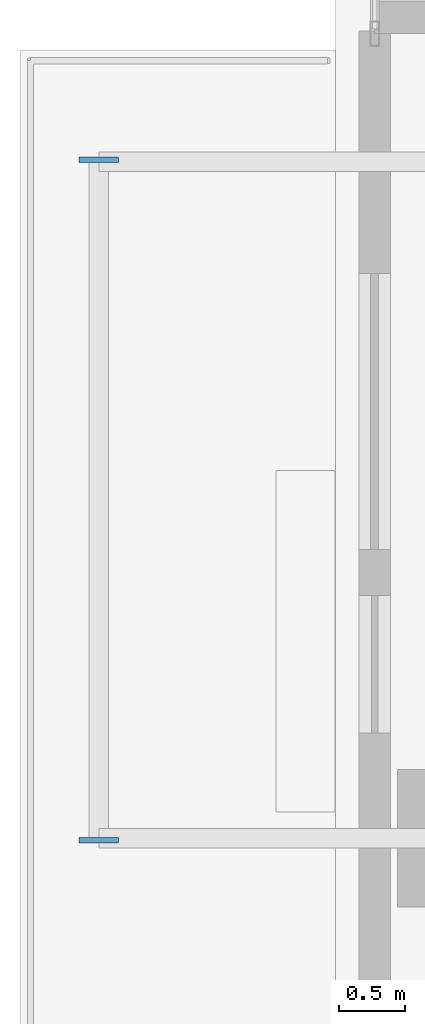
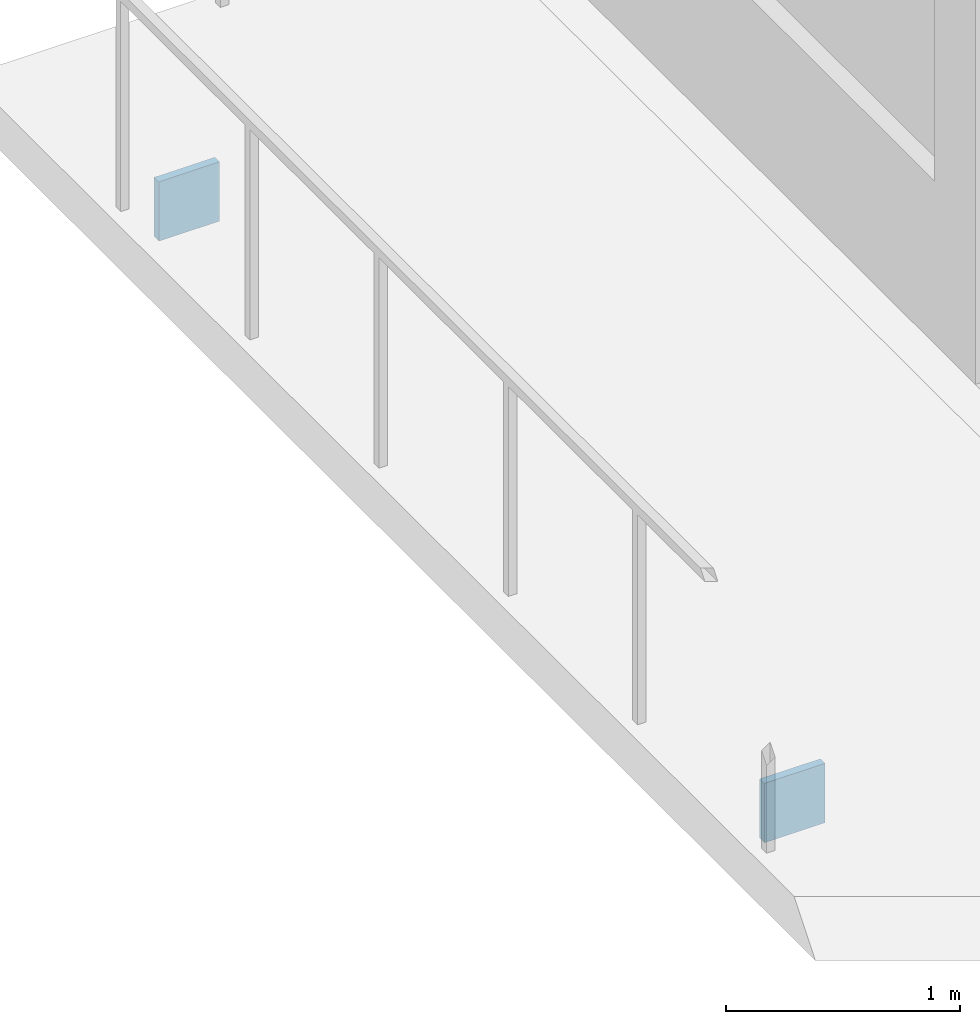
# One storey, part 18 of 26: 2 plates.
"""IFC4 building model written with IfcOpenShell, lengths in metres."""

from ifc_helpers import new_model, si_unit, direction, frame, origin, origin_2d, place, context, subcontext, project, spatial, rectangle, extrude, material, layer, layer_set, type_object, element, save


model = new_model("IFC4")

# Units and contexts
model_context = context("Model", 3, precision=1e-05, world=origin(), true_north=direction((0.0, 1.0)))
body_context = subcontext(model_context, "Body", "Model", "MODEL_VIEW")
ifc_project = project(units=[si_unit("LENGTHUNIT", "METRE"), si_unit("AREAUNIT", "SQUARE_METRE"), si_unit("VOLUMEUNIT", "CUBIC_METRE"), si_unit("PLANEANGLEUNIT", "RADIAN"), si_unit("MASSUNIT", "GRAM", prefix="KILO"), si_unit("THERMODYNAMICTEMPERATUREUNIT", "KELVIN"), si_unit("POWERUNIT", "WATT")], contexts=[model_context])

# Site, building, storey
site_placement = place(None, origin())
site = spatial("IfcSite", under=ifc_project, at=site_placement, CompositionType="ELEMENT")
building_placement = place(site_placement, origin())
building = spatial("IfcBuilding", under=site, at=building_placement, Name="Svarakhadi Broadcast Tower", CompositionType="ELEMENT")
storey_placement = place(building_placement, frame((0.0, 0.0, 184.199951171875)))
storey = spatial("IfcBuildingStorey", under=building, at=storey_placement, Name="L45", CompositionType="ELEMENT", Elevation=184.199951171875)

# Plates
ifc_material = material(Name="Steel S460ML (IS 2062 E450BR)", Category="steel")
ifc_layer = layer(ifc_material, 0.028076171875)
ifc_layer_set = layer_set([ifc_layer], Name="Steel S460ML (IS 2062 E450BR)")
plate_type = type_object("IfcPlateType", Name="Cap_Plate_CP02", PredefinedType="USERDEFINED", material=ifc_layer_set)
for number, where, z_axis, x_axis, name in (
    (1, (-1.800048828125, 23.985107421875, -0.5048828125), (0.0, 0.0, 1.0), (1.0, 0.0, 0.0), "L45 Balcony Spandrel End Cap Plate 2F-A"),
    (2, (-1.800048828125, 29.1650390625, -0.5048828125), (0.0, 0.0, 1.0), (1.0, 0.0, 0.0), "L45 Balcony Spandrel End Cap Plate 2F-B"),
):
    element("IfcPlate", number, at=place(storey_placement, frame(where, z_axis=z_axis, x_axis=x_axis)), inside=storey, type_object=plate_type, Name=name, ObjectType="FLANGE_PLATE", PredefinedType="USERDEFINED", context=body_context, shape_type="SweptSolid", body=[
        extrude(rectangle(XDim=0.300048828125, YDim=0.0400390625, at=origin_2d()), origin(), (0.0, 0.0, 1.0), 0.31005859375),
    ])

save(model, "model.ifc")
